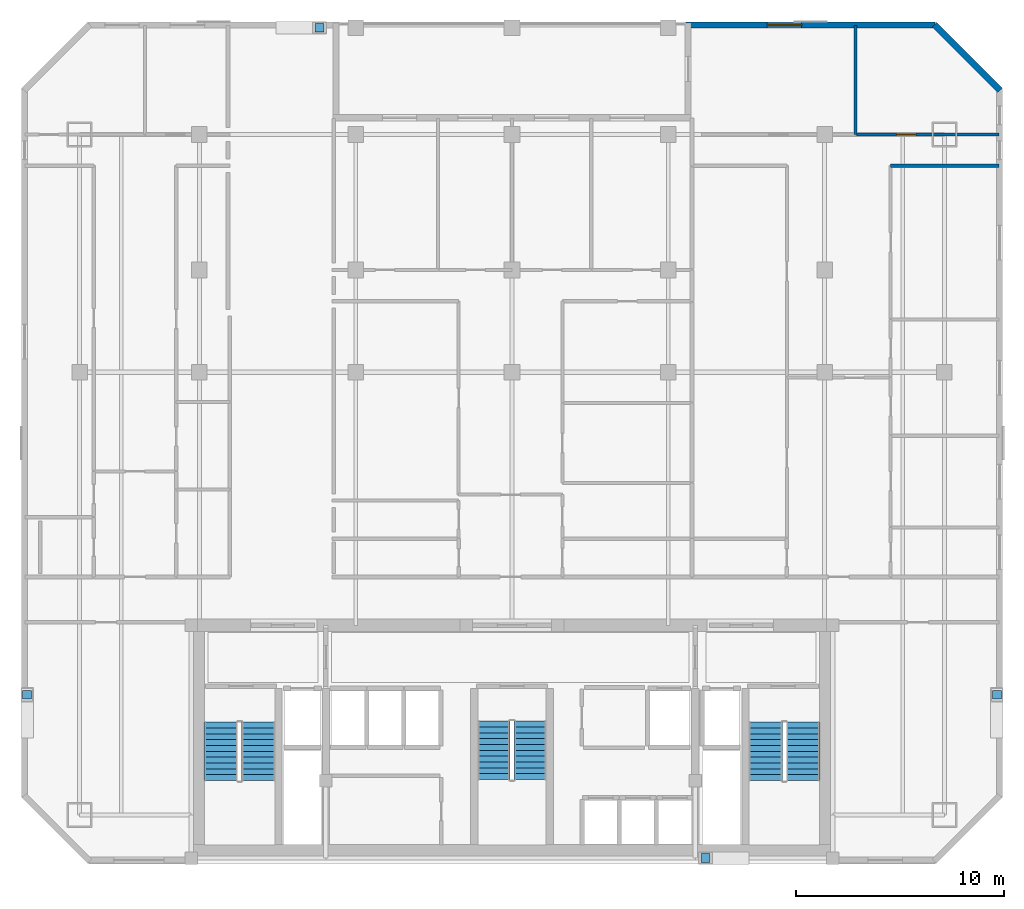
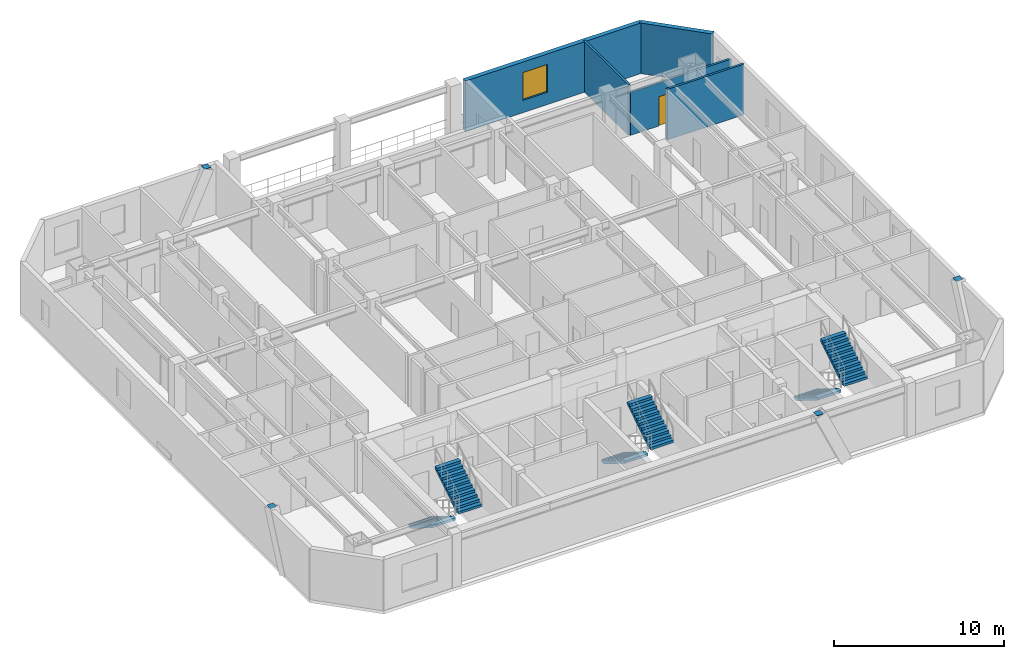
# One storey, part 7 of 8: 6 stair flights, 5 walls, 4 discrete accessories, 1 door, 1 window, 2 openings, 3 elements without a shape of their own.
"""IFC4 building model written with IfcOpenShell, lengths in metres."""

from ifc_helpers import new_model, si_unit, direction, frame, frame_2d, origin, origin_2d, place, context, subcontext, project, spatial, polyline, rectangle, outline, extrude, material, layer, layer_set, type_object, element, fill, aggregate, save


model = new_model("IFC4")

# Units and contexts
model_context = context("Model", 3, precision=1e-05, world=origin(), true_north=direction((0.0, 1.0)))
body_context = subcontext(model_context, "Body", "Model", "MODEL_VIEW")
ifc_project = project(units=[si_unit("LENGTHUNIT", "METRE"), si_unit("AREAUNIT", "SQUARE_METRE"), si_unit("VOLUMEUNIT", "CUBIC_METRE"), si_unit("PLANEANGLEUNIT", "RADIAN"), si_unit("MASSUNIT", "GRAM", prefix="KILO")], contexts=[model_context])

# Site, building, storey
site_placement = place(None, origin())
site = spatial("IfcSite", under=ifc_project, at=site_placement, CompositionType="ELEMENT")
building_placement = place(site_placement, origin())
building = spatial("IfcBuilding", under=site, at=building_placement, Name="Ventersveld Concourse Tower", CompositionType="ELEMENT")
storey_placement = place(building_placement, frame((0.0, 0.0, 196.449951171875)))
storey = spatial("IfcBuildingStorey", under=building, at=storey_placement, Name="L48", CompositionType="ELEMENT", Elevation=196.449951171875)

# Wall
ifc_material_1 = material(Name="Autoclaved aerated masonry blockwork", Category="masonry")
ifc_layer_1 = layer(ifc_material_1, 0.14990234375)
ifc_layer_set_1 = layer_set([ifc_layer_1], Name="Autoclaved aerated masonry blockwork")
wall_type_1 = type_object("IfcWallType", Name="WL-INT-150", PredefinedType="PARTITIONING", material=ifc_layer_set_1)
wall_1_placement = place(storey_placement, frame((46.9150390625, 33.5, 0.0), z_axis=(0.0, 0.0, 1.0), x_axis=(1.0, 0.0, 0.0)))
element("IfcWall", 1, at=wall_1_placement, inside=storey, type_object=wall_type_1, Name="L48 Interior Partition SP-L48-48CE-LIV-SP-L48-48CE-DENS2", PredefinedType="PARTITIONING", context=body_context, shape_type="SweptSolid", body=[
    extrude(rectangle(XDim=5.21240234375, YDim=0.14990234375, at=frame_2d((2.606201171875, 0.0))), origin(), (0.0, 0.0, 1.0), 3.630126953125),
])

# Wall, opening, door
wall_2_placement = place(storey_placement, frame((45.272216796875, 35.0, 0.0), z_axis=(0.0, 0.0, 1.0), x_axis=(1.0, 0.0, 0.0)))
wall_2 = element("IfcWall", 2, at=wall_2_placement, inside=storey, type_object=wall_type_1, Name="L48 Interior Partition SP-L48-48CE-LIV-SP-L48-48CE-BR2", PredefinedType="PARTITIONING", context=body_context, shape_type="SweptSolid", body=[
    extrude(rectangle(XDim=6.855224609375, YDim=0.14990234375, at=frame_2d((3.427734375, 0.0))), origin(), (0.0, 0.0, 1.0), 3.08544921875),
])
opening_1_placement = place(wall_2_placement, frame((1.939453125, 0.0, 0.0)))
opening_1 = element("IfcOpeningElement", 3, at=opening_1_placement, cuts=wall_2, Name="Opening ID1", PredefinedType="OPENING", context=body_context, shape_type="SweptSolid", body=[
    extrude(rectangle(XDim=0.919921875, YDim=2.10009765625, at=frame_2d((0.4599609375, 1.050048828125))), frame((0.0, 0.0849609375, 0.0), z_axis=(0.0, -1.0, 0.0), x_axis=(1.0, 0.0, 0.0)), (0.0, 0.0, 1.0), 0.169921875),
])
ifc_material_2 = material(Name="Solid-core hardwood veneer timber", Category="wood")
door_type = type_object("IfcDoorType", Name="DR-ROOM-092", OperationType="NOTDEFINED", PredefinedType="DOOR", material=ifc_material_2)
door_placement = place(opening_1_placement, origin())
door = element("IfcDoor", 4, at=door_placement, inside=storey, type_object=door_type, Name="L48 Interior Door SP-L48-48CE-LIV to SP-L48-48CE-BR2 (D-L48-2368)", OperationType="SINGLE_SWING_RIGHT", OverallHeight=2.10009765625, OverallWidth=0.919921875, PredefinedType="DOOR", context=body_context, shape_type="SweptSolid", body=[
    extrude(rectangle(XDim=0.919921875, YDim=2.10009765625, at=frame_2d((0.4599609375, 1.050048828125))), frame((0.0, 0.02490234375, 0.0), z_axis=(0.0, -1.0, 0.0), x_axis=(1.0, 0.0, 0.0)), (0.0, 0.0, 1.0), 0.050048828125),
])
fill(opening_1, door)

# Walls
wall_3_placement = place(storey_placement, frame((45.237060546875, 34.9951171875, 0.0), z_axis=(0.0, 0.0, 1.0), x_axis=(0.0, 1.0, 0.0)))
element("IfcWall", 5, at=wall_3_placement, inside=storey, type_object=wall_type_1, Name="L48 Interior Partition SP-L48-48CE-BR1-SP-L48-48CE-BR2", PredefinedType="PARTITIONING", context=body_context, shape_type="SweptSolid", body=[
    extrude(rectangle(XDim=5.232421875, YDim=0.14990234375, at=frame_2d((2.6162109375, 0.0))), origin(), (0.0, 0.0, 1.0), 3.630126953125),
])
ifc_material_3 = material(Name="Precast concrete C45/55", Category="concrete")
ifc_layer_2 = layer(ifc_material_3, 0.300048828125)
ifc_layer_set_2 = layer_set([ifc_layer_2], Name="Precast concrete C45/55")
wall_type_2 = type_object("IfcWallType", Name="WL-PREC-300", PredefinedType="SOLIDWALL", material=ifc_layer_set_2)
wall_4_placement = place(storey_placement, frame((52.16552734375, 37.122314453125, 0.0), z_axis=(0.0, 0.0, 1.0), x_axis=(-0.707106781187, 0.707106781187, 0.0)))
element("IfcWall", 6, at=wall_4_placement, inside=storey, type_object=wall_type_2, Name="L48 Highveld Precast Facade Wall E04", PredefinedType="SOLIDWALL", context=body_context, shape_type="SweptSolid", body=[
    extrude(rectangle(XDim=4.4453125, YDim=0.300048828125, at=frame_2d((2.22265625, 0.0))), origin(), (0.0, 0.0, 1.0), 3.630126953125),
])

# Wall, opening, window
wall_5_placement = place(storey_placement, frame((49.06005859375, 40.25, 0.0), z_axis=(0.0, 0.0, 1.0), x_axis=(-1.0, 0.0, 0.0)))
wall_5 = element("IfcWall", 7, at=wall_5_placement, inside=storey, type_object=wall_type_2, Name="L48 Highveld Precast Facade Wall E05", PredefinedType="SOLIDWALL", context=body_context, shape_type="SweptSolid", body=[
    extrude(rectangle(XDim=11.969970703125, YDim=0.300048828125, at=frame_2d((5.98486328125, 0.0))), origin(), (0.0, 0.0, 1.0), 3.630126953125),
])
opening_2_placement = place(wall_5_placement, frame((6.415283203125, 0.0, 0.8798828125)))
opening_2 = element("IfcOpeningElement", 8, at=opening_2_placement, cuts=wall_5, Name="Opening W6", PredefinedType="OPENING", context=body_context, shape_type="SweptSolid", body=[
    extrude(rectangle(XDim=1.64990234375, YDim=2.0, at=frame_2d((0.824951171875, 1.0))), frame((0.0, 0.16015625, 0.0), z_axis=(0.0, -1.0, 0.0), x_axis=(1.0, 0.0, 0.0)), (0.0, 0.0, 1.0), 0.320068359375),
])
ifc_material_4 = material(Name="Tempered acoustic Low-E IGU", Category="glass")
window_type = type_object("IfcWindowType", Name="WIN-165x200", PartitioningType="SINGLE_PANEL", PredefinedType="WINDOW", material=ifc_material_4)
window_placement = place(opening_2_placement, origin())
window = element("IfcWindow", 9, at=window_placement, inside=storey, type_object=window_type, Name="L48 Punched Low-E Window W-0680", OverallHeight=2.0, OverallWidth=1.64990234375, PartitioningType="SINGLE_PANEL", PredefinedType="WINDOW", context=body_context, shape_type="SweptSolid", body=[
    extrude(rectangle(XDim=1.64990234375, YDim=2.0, at=frame_2d((0.824951171875, 1.0))), frame((0.0, 0.030029296875, 0.0), z_axis=(0.0, -1.0, 0.0), x_axis=(1.0, 0.0, 0.0)), (0.0, 0.0, 1.0), 0.06005859375),
])
fill(opening_2, window)

# Stair, stair flights
ifc_material_5 = material(Name="Concrete C50/60", Category="concrete")
stair_type_1 = type_object("IfcStairType", Name="ST-DOG-155", PredefinedType="HALF_TURN_STAIR", material=ifc_material_5)
stair_1_placement = place(storey_placement, origin())
stair_1 = element("IfcStair", 10, at=stair_1_placement, inside=storey, type_object=stair_type_1, Name="L48 Protected Central Core Escape Stair ST-03", PredefinedType="HALF_TURN_STAIR")
stair_flight_type_1 = type_object("IfcStairFlightType", Name="STF-RC-155", PredefinedType="STRAIGHT", material=ifc_material_5)
stair_flight_1_placement = place(storey_placement, frame((27.875, 6.85009765625, 0.0), z_axis=(0.0, 0.0, 1.0), x_axis=(0.0, -1.0, 0.0)))
stair_flight_1 = element("IfcStairFlight", 11, at=stair_flight_1_placement, type_object=stair_flight_type_1, Name="ST-03 flight 1", NumberOfRisers=11, NumberOfTreads=10, PredefinedType="STRAIGHT", RiserHeight=0.175, TreadLength=0.28, context=body_context, shape_type="SweptSolid", body=[
    extrude(outline(polyline([(0.0, 0.0), (0.0, 0.175048828125), (0.280029296875, 0.175048828125), (0.280029296875, 0.35009765625), (0.56005859375, 0.35009765625), (0.56005859375, 0.52490234375), (0.840087890625, 0.52490234375), (0.840087890625, 0.699951171875), (1.1201171875, 0.699951171875), (1.1201171875, 0.875), (1.39990234375, 0.875), (1.39990234375, 1.050048828125), (1.679931640625, 1.050048828125), (1.679931640625, 1.22509765625), (1.9599609375, 1.22509765625), (1.9599609375, 1.39990234375), (2.239990234375, 1.39990234375), (2.239990234375, 1.574951171875), (2.52001953125, 1.574951171875), (2.52001953125, 1.75), (2.800048828125, 1.75), (2.800048828125, 1.925048828125), (2.800048828125, 1.5732421875), (0.28271484375, 0.0), (0.0, 0.0)])), frame((0.0, 0.77490234375, 0.0), z_axis=(0.0, -1.0, 0.0), x_axis=(1.0, 0.0, 0.0)), (0.0, 0.0, 1.0), 1.550048828125),
])
stair_flight_2_placement = place(storey_placement, frame((29.625, 4.050048828125, 1.925048828125), z_axis=(0.0, 0.0, 1.0), x_axis=(0.0, 1.0, 0.0)))
stair_flight_2 = element("IfcStairFlight", 12, at=stair_flight_2_placement, type_object=stair_flight_type_1, Name="ST-03 flight 2", NumberOfRisers=11, NumberOfTreads=10, PredefinedType="STRAIGHT", RiserHeight=0.175, TreadLength=0.28, context=body_context, shape_type="SweptSolid", body=[
    extrude(outline(polyline([(0.0, 0.0), (0.0, 0.175048828125), (0.280029296875, 0.175048828125), (0.280029296875, 0.35009765625), (0.56005859375, 0.35009765625), (0.56005859375, 0.52490234375), (0.840087890625, 0.52490234375), (0.840087890625, 0.699951171875), (1.1201171875, 0.699951171875), (1.1201171875, 0.875), (1.39990234375, 0.875), (1.39990234375, 1.050048828125), (1.679931640625, 1.050048828125), (1.679931640625, 1.22509765625), (1.9599609375, 1.22509765625), (1.9599609375, 1.39990234375), (2.239990234375, 1.39990234375), (2.239990234375, 1.574951171875), (2.52001953125, 1.574951171875), (2.52001953125, 1.75), (2.800048828125, 1.75), (2.800048828125, 1.925048828125), (2.800048828125, 1.5732421875), (0.28271484375, 0.0), (0.0, 0.0)])), frame((0.0, 0.77490234375, 0.0), z_axis=(0.0, -1.0, 0.0), x_axis=(1.0, 0.0, 0.0)), (0.0, 0.0, 1.0), 1.550048828125),
])
aggregate(stair_1, [stair_flight_1, stair_flight_2])

stair_type_2 = type_object("IfcStairType", Name="ST-DOG-160", PredefinedType="HALF_TURN_STAIR", material=ifc_material_5)
stair_2_placement = place(storey_placement, origin())
stair_2 = element("IfcStair", 13, at=stair_2_placement, inside=storey, type_object=stair_type_2, Name="L48 Protected Tower Escape Stair ST-01", PredefinedType="HALF_TURN_STAIR")
stair_flight_type_2 = type_object("IfcStairFlightType", Name="STF-RC-160", PredefinedType="STRAIGHT", material=ifc_material_5)
stair_flight_3_placement = place(storey_placement, frame((14.780029296875, 6.800048828125, 0.0), z_axis=(0.0, 0.0, 1.0), x_axis=(0.0, -1.0, 0.0)))
stair_flight_3 = element("IfcStairFlight", 14, at=stair_flight_3_placement, type_object=stair_flight_type_2, Name="ST-01 flight 1", NumberOfRisers=11, NumberOfTreads=10, PredefinedType="STRAIGHT", RiserHeight=0.175, TreadLength=0.28, context=body_context, shape_type="SweptSolid", body=[
    extrude(outline(polyline([(0.0, 0.0), (0.0, 0.175048828125), (0.280029296875, 0.175048828125), (0.280029296875, 0.35009765625), (0.56005859375, 0.35009765625), (0.56005859375, 0.52490234375), (0.840087890625, 0.52490234375), (0.840087890625, 0.699951171875), (1.1201171875, 0.699951171875), (1.1201171875, 0.875), (1.39990234375, 0.875), (1.39990234375, 1.050048828125), (1.679931640625, 1.050048828125), (1.679931640625, 1.22509765625), (1.9599609375, 1.22509765625), (1.9599609375, 1.39990234375), (2.239990234375, 1.39990234375), (2.239990234375, 1.574951171875), (2.52001953125, 1.574951171875), (2.52001953125, 1.75), (2.800048828125, 1.75), (2.800048828125, 1.925048828125), (2.800048828125, 1.5732421875), (0.28271484375, 0.0), (0.0, 0.0)])), frame((0.0, 0.800048828125, 0.0), z_axis=(0.0, -1.0, 0.0), x_axis=(1.0, 0.0, 0.0)), (0.0, 0.0, 1.0), 1.60009765625),
])
stair_flight_4_placement = place(storey_placement, frame((16.580078125, 4.0, 1.925048828125), z_axis=(0.0, 0.0, 1.0), x_axis=(0.0, 1.0, 0.0)))
stair_flight_4 = element("IfcStairFlight", 15, at=stair_flight_4_placement, type_object=stair_flight_type_2, Name="ST-01 flight 2", NumberOfRisers=11, NumberOfTreads=10, PredefinedType="STRAIGHT", RiserHeight=0.175, TreadLength=0.28, context=body_context, shape_type="SweptSolid", body=[
    extrude(outline(polyline([(0.0, 0.0), (0.0, 0.175048828125), (0.280029296875, 0.175048828125), (0.280029296875, 0.35009765625), (0.56005859375, 0.35009765625), (0.56005859375, 0.52490234375), (0.840087890625, 0.52490234375), (0.840087890625, 0.699951171875), (1.1201171875, 0.699951171875), (1.1201171875, 0.875), (1.39990234375, 0.875), (1.39990234375, 1.050048828125), (1.679931640625, 1.050048828125), (1.679931640625, 1.22509765625), (1.9599609375, 1.22509765625), (1.9599609375, 1.39990234375), (2.239990234375, 1.39990234375), (2.239990234375, 1.574951171875), (2.52001953125, 1.574951171875), (2.52001953125, 1.75), (2.800048828125, 1.75), (2.800048828125, 1.925048828125), (2.800048828125, 1.5732421875), (0.28271484375, 0.0), (0.0, 0.0)])), frame((0.0, 0.800048828125, 0.0), z_axis=(0.0, -1.0, 0.0), x_axis=(1.0, 0.0, 0.0)), (0.0, 0.0, 1.0), 1.60009765625),
])
aggregate(stair_2, [stair_flight_3, stair_flight_4])

stair_3_placement = place(storey_placement, origin())
stair_3 = element("IfcStair", 16, at=stair_3_placement, inside=storey, type_object=stair_type_2, Name="L48 Protected Tower Escape Stair ST-02", PredefinedType="HALF_TURN_STAIR")
stair_flight_5_placement = place(storey_placement, frame((40.919921875, 6.800048828125, 0.0), z_axis=(0.0, 0.0, 1.0), x_axis=(0.0, -1.0, 0.0)))
stair_flight_5 = element("IfcStairFlight", 17, at=stair_flight_5_placement, type_object=stair_flight_type_2, Name="ST-02 flight 1", NumberOfRisers=11, NumberOfTreads=10, PredefinedType="STRAIGHT", RiserHeight=0.175, TreadLength=0.28, context=body_context, shape_type="SweptSolid", body=[
    extrude(outline(polyline([(0.0, 0.0), (0.0, 0.175048828125), (0.280029296875, 0.175048828125), (0.280029296875, 0.35009765625), (0.56005859375, 0.35009765625), (0.56005859375, 0.52490234375), (0.840087890625, 0.52490234375), (0.840087890625, 0.699951171875), (1.1201171875, 0.699951171875), (1.1201171875, 0.875), (1.39990234375, 0.875), (1.39990234375, 1.050048828125), (1.679931640625, 1.050048828125), (1.679931640625, 1.22509765625), (1.9599609375, 1.22509765625), (1.9599609375, 1.39990234375), (2.239990234375, 1.39990234375), (2.239990234375, 1.574951171875), (2.52001953125, 1.574951171875), (2.52001953125, 1.75), (2.800048828125, 1.75), (2.800048828125, 1.925048828125), (2.800048828125, 1.5732421875), (0.28271484375, 0.0), (0.0, 0.0)])), frame((0.0, 0.800048828125, 0.0), z_axis=(0.0, -1.0, 0.0), x_axis=(1.0, 0.0, 0.0)), (0.0, 0.0, 1.0), 1.60009765625),
])
stair_flight_6_placement = place(storey_placement, frame((42.719970703125, 4.0, 1.925048828125), z_axis=(0.0, 0.0, 1.0), x_axis=(0.0, 1.0, 0.0)))
stair_flight_6 = element("IfcStairFlight", 18, at=stair_flight_6_placement, type_object=stair_flight_type_2, Name="ST-02 flight 2", NumberOfRisers=11, NumberOfTreads=10, PredefinedType="STRAIGHT", RiserHeight=0.175, TreadLength=0.28, context=body_context, shape_type="SweptSolid", body=[
    extrude(outline(polyline([(0.0, 0.0), (0.0, 0.175048828125), (0.280029296875, 0.175048828125), (0.280029296875, 0.35009765625), (0.56005859375, 0.35009765625), (0.56005859375, 0.52490234375), (0.840087890625, 0.52490234375), (0.840087890625, 0.699951171875), (1.1201171875, 0.699951171875), (1.1201171875, 0.875), (1.39990234375, 0.875), (1.39990234375, 1.050048828125), (1.679931640625, 1.050048828125), (1.679931640625, 1.22509765625), (1.9599609375, 1.22509765625), (1.9599609375, 1.39990234375), (2.239990234375, 1.39990234375), (2.239990234375, 1.574951171875), (2.52001953125, 1.574951171875), (2.52001953125, 1.75), (2.800048828125, 1.75), (2.800048828125, 1.925048828125), (2.800048828125, 1.5732421875), (0.28271484375, 0.0), (0.0, 0.0)])), frame((0.0, 0.800048828125, 0.0), z_axis=(0.0, -1.0, 0.0), x_axis=(1.0, 0.0, 0.0)), (0.0, 0.0, 1.0), 1.60009765625),
])
aggregate(stair_3, [stair_flight_5, stair_flight_6])

# Discrete accessories
ifc_material_6 = material(Name="Structural steel S355J2", Category="steel")
discrete_accessory_type = type_object("IfcDiscreteAccessoryType", Name="CONN-BRACE-ECP1", PredefinedType="BRACKET", material=ifc_material_6)
for number, where, z_axis, x_axis, name in (
    (19, (19.510498046875, 40.1201171875, 3.610107421875), (0.0, 0.0, 1.0), (1.0, 0.0, 0.0), "L48 Steel Brace End Connection Plate ECP1-0370"),
    (20, (38.03955078125, 0.280029296875, 3.610107421875), (0.0, 0.0, 1.0), (1.0, 0.0, 0.0), "L48 Steel Brace End Connection Plate ECP1-0374"),
    (21, (5.47998046875, 8.110595703125, 3.610107421875), (0.0, 0.0, 1.0), (1.0, 0.0, 0.0), "L48 Steel Brace End Connection Plate ECP1-0378"),
    (22, (52.02001953125, 8.110595703125, 3.610107421875), (0.0, 0.0, 1.0), (1.0, 0.0, 0.0), "L48 Steel Brace End Connection Plate ECP1-0382"),
):
    element("IfcDiscreteAccessory", number, at=place(storey_placement, frame(where, z_axis=z_axis, x_axis=x_axis)), inside=storey, type_object=discrete_accessory_type, Name=name, PredefinedType="BRACKET", context=body_context, shape_type="SweptSolid", body=[
        extrude(rectangle(XDim=0.419921875, YDim=0.419921875, at=origin_2d()), origin(), (0.0, 0.0, 1.0), 0.0400390625),
    ])

save(model, "model.ifc")
